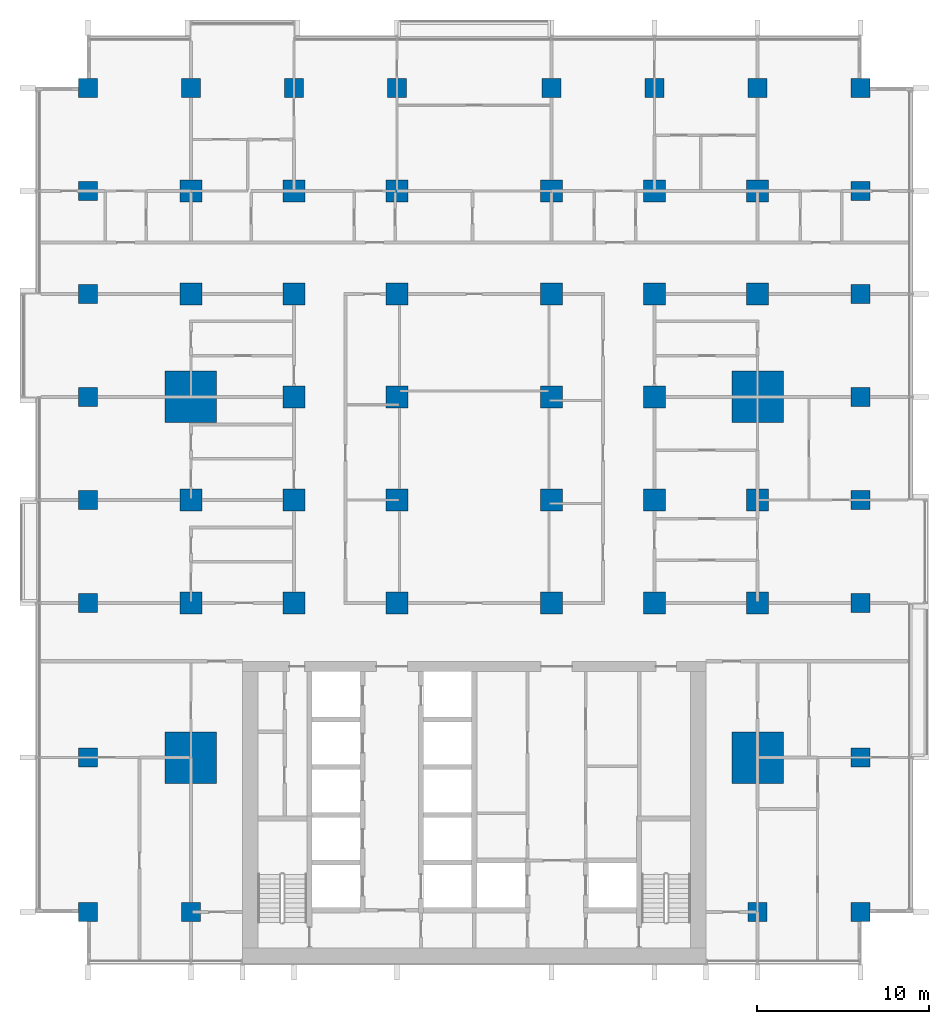
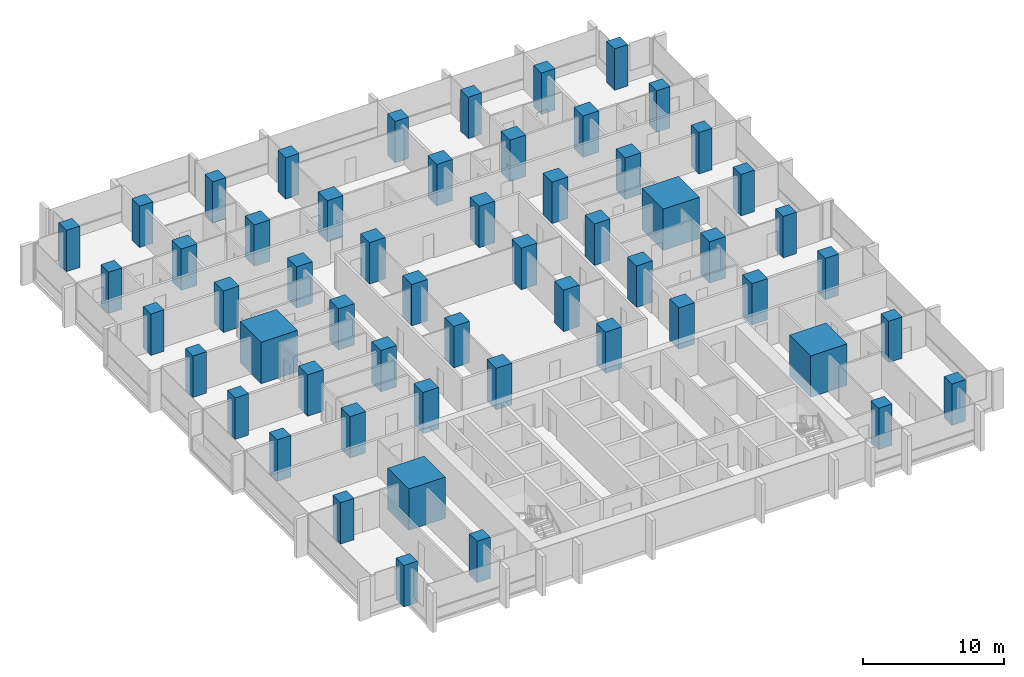
# One storey, part 1 of 18: 56 columns.
"""IFC4 building model written with IfcOpenShell, lengths in metres."""

from ifc_helpers import new_model, si_unit, direction, frame, origin, origin_2d, place, context, subcontext, project, spatial, rectangle, extrude, material, material_profile, profile_set, type_object, element, save


model = new_model("IFC4")

# Units and contexts
model_context = context("Model", 3, precision=1e-05, world=origin(), true_north=direction((0.0, 1.0)))
body_context = subcontext(model_context, "Body", "Model", "MODEL_VIEW")
ifc_project = project(units=[si_unit("LENGTHUNIT", "METRE"), si_unit("AREAUNIT", "SQUARE_METRE"), si_unit("VOLUMEUNIT", "CUBIC_METRE"), si_unit("PLANEANGLEUNIT", "RADIAN"), si_unit("MASSUNIT", "GRAM", prefix="KILO")], contexts=[model_context])

# Site, building, storey
site_placement = place(None, origin())
site = spatial("IfcSite", under=ifc_project, at=site_placement, CompositionType="ELEMENT")
building_placement = place(site_placement, origin())
building = spatial("IfcBuilding", under=site, at=building_placement, Name="Finial Court Residences", CompositionType="ELEMENT")
storey_placement = place(building_placement, frame((0.0, 0.0, 72.10009765625)))
storey = spatial("IfcBuildingStorey", under=building, at=storey_placement, Name="L17", CompositionType="ELEMENT", Elevation=72.10009765625)

# Columns
ifc_material = material(Name="Concrete C80/95", Category="concrete")
ifc_material_profile_1 = material_profile(ifc_material, rectangle(XDim=1.300048828125, YDim=1.300048828125, at=origin_2d()), Name="1300x1300")
ifc_profile_set_1 = profile_set([ifc_material_profile_1], Name="Concrete C80/95")
column_type_1 = type_object("IfcColumnType", Name="Interior column 1300x1300 Concrete C80/95", PredefinedType="COLUMN", material=ifc_profile_set_1)
for number, where, z_axis, x_axis, name in (
    (1, (-16.5, -4.5, 0.0), (0.0, 0.0, 1.0), (1.0, 0.0, 0.0), "S:COL:L17:C4"),
    (2, (-16.5, 1.5, 0.0), (0.0, 0.0, 1.0), (1.0, 0.0, 0.0), "S:COL:L17:C5"),
    (3, (-16.5, 13.5, 0.0), (0.0, 0.0, 1.0), (1.0, 0.0, 0.0), "S:COL:L17:C7"),
    (4, (-16.5, 19.5, 0.0), (0.0, 0.0, 1.0), (1.0, 0.0, 0.0), "S:COL:L17:C8"),
    (5, (-10.5, -4.5, 0.0), (0.0, 0.0, 1.0), (1.0, 0.0, 0.0), "S:COL:L17:D4"),
    (6, (-10.5, 1.5, 0.0), (0.0, 0.0, 1.0), (1.0, 0.0, 0.0), "S:COL:L17:D5"),
    (7, (-10.5, 7.5, 0.0), (0.0, 0.0, 1.0), (1.0, 0.0, 0.0), "S:COL:L17:D6"),
    (8, (-10.5, 13.5, 0.0), (0.0, 0.0, 1.0), (1.0, 0.0, 0.0), "S:COL:L17:D7"),
    (9, (-10.5, 19.5, 0.0), (0.0, 0.0, 1.0), (1.0, 0.0, 0.0), "S:COL:L17:D8"),
    (10, (-4.5, -4.5, 0.0), (0.0, 0.0, 1.0), (1.0, 0.0, 0.0), "S:COL:L17:E4"),
    (11, (-4.5, 1.5, 0.0), (0.0, 0.0, 1.0), (1.0, 0.0, 0.0), "S:COL:L17:E5"),
    (12, (-4.5, 7.5, 0.0), (0.0, 0.0, 1.0), (1.0, 0.0, 0.0), "S:COL:L17:E6"),
    (13, (-4.5, 13.5, 0.0), (0.0, 0.0, 1.0), (1.0, 0.0, 0.0), "S:COL:L17:E7"),
    (14, (-4.5, 19.5, 0.0), (0.0, 0.0, 1.0), (1.0, 0.0, 0.0), "S:COL:L17:E8"),
    (15, (4.5, -4.5, 0.0), (0.0, 0.0, 1.0), (1.0, 0.0, 0.0), "S:COL:L17:F4"),
    (16, (4.5, 1.5, 0.0), (0.0, 0.0, 1.0), (1.0, 0.0, 0.0), "S:COL:L17:F5"),
    (17, (4.5, 7.5, 0.0), (0.0, 0.0, 1.0), (1.0, 0.0, 0.0), "S:COL:L17:F6"),
    (18, (4.5, 13.5, 0.0), (0.0, 0.0, 1.0), (1.0, 0.0, 0.0), "S:COL:L17:F7"),
    (19, (4.5, 19.5, 0.0), (0.0, 0.0, 1.0), (1.0, 0.0, 0.0), "S:COL:L17:F8"),
    (20, (10.5, -4.5, 0.0), (0.0, 0.0, 1.0), (1.0, 0.0, 0.0), "S:COL:L17:G4"),
    (21, (10.5, 1.5, 0.0), (0.0, 0.0, 1.0), (1.0, 0.0, 0.0), "S:COL:L17:G5"),
    (22, (10.5, 7.5, 0.0), (0.0, 0.0, 1.0), (1.0, 0.0, 0.0), "S:COL:L17:G6"),
    (23, (10.5, 13.5, 0.0), (0.0, 0.0, 1.0), (1.0, 0.0, 0.0), "S:COL:L17:G7"),
    (24, (10.5, 19.5, 0.0), (0.0, 0.0, 1.0), (1.0, 0.0, 0.0), "S:COL:L17:G8"),
    (25, (16.5, -4.5, 0.0), (0.0, 0.0, 1.0), (1.0, 0.0, 0.0), "S:COL:L17:H4"),
    (26, (16.5, 1.5, 0.0), (0.0, 0.0, 1.0), (1.0, 0.0, 0.0), "S:COL:L17:H5"),
    (27, (16.5, 13.5, 0.0), (0.0, 0.0, 1.0), (1.0, 0.0, 0.0), "S:COL:L17:H7"),
    (28, (16.5, 19.5, 0.0), (0.0, 0.0, 1.0), (1.0, 0.0, 0.0), "S:COL:L17:H8"),
):
    element("IfcColumn", number, at=place(storey_placement, frame(where, z_axis=z_axis, x_axis=x_axis)), inside=storey, type_object=column_type_1, Name=name, PredefinedType="COLUMN", context=body_context, shape_type="SweptSolid", body=[
        extrude(rectangle(XDim=1.300048828125, YDim=1.300048828125, at=origin_2d()), origin(), (0.0, 0.0, 1.0), 3.599853515625),
    ])
ifc_material_profile_2 = material_profile(ifc_material, rectangle(XDim=3.0, YDim=3.0, at=origin_2d()), Name="3000x3000")
ifc_profile_set_2 = profile_set([ifc_material_profile_2], Name="Concrete C80/95")
column_type_2 = type_object("IfcColumnType", Name="Mega column 3000x3000 Concrete C80/95", PredefinedType="COLUMN", material=ifc_profile_set_2)
for number, where, z_axis, x_axis, name in (
    (29, (-16.5, -13.5, 0.0), (0.0, 0.0, 1.0), (1.0, 0.0, 0.0), "S:COL:L17:C3"),
    (30, (-16.5, 7.5, 0.0), (0.0, 0.0, 1.0), (1.0, 0.0, 0.0), "S:COL:L17:C6"),
    (31, (16.5, -13.5, 0.0), (0.0, 0.0, 1.0), (1.0, 0.0, 0.0), "S:COL:L17:H3"),
    (32, (16.5, 7.5, 0.0), (0.0, 0.0, 1.0), (1.0, 0.0, 0.0), "S:COL:L17:H6"),
):
    element("IfcColumn", number, at=place(storey_placement, frame(where, z_axis=z_axis, x_axis=x_axis)), inside=storey, type_object=column_type_2, Name=name, PredefinedType="COLUMN", context=body_context, shape_type="SweptSolid", body=[
        extrude(rectangle(XDim=3.0, YDim=3.0, at=origin_2d()), origin(), (0.0, 0.0, 1.0), 3.599853515625),
    ])
ifc_material_profile_3 = material_profile(ifc_material, rectangle(XDim=1.10009765625, YDim=1.10009765625, at=origin_2d()), Name="1100x1100")
ifc_profile_set_3 = profile_set([ifc_material_profile_3], Name="Concrete C80/95")
column_type_3 = type_object("IfcColumnType", Name="Perimeter column 1100x1100 Concrete C80/95", PredefinedType="COLUMN", material=ifc_profile_set_3)
for number, where, z_axis, x_axis, name in (
    (33, (-22.5, -22.5, 0.0), (0.0, 0.0, 1.0), (1.0, 0.0, 0.0), "S:COL:L17:B2"),
    (34, (-22.5, -13.5, 0.0), (0.0, 0.0, 1.0), (1.0, 0.0, 0.0), "S:COL:L17:B3"),
    (35, (-22.5, -4.5, 0.0), (0.0, 0.0, 1.0), (1.0, 0.0, 0.0), "S:COL:L17:B4"),
    (36, (-22.5, 1.5, 0.0), (0.0, 0.0, 1.0), (1.0, 0.0, 0.0), "S:COL:L17:B5"),
    (37, (-22.5, 7.5, 0.0), (0.0, 0.0, 1.0), (1.0, 0.0, 0.0), "S:COL:L17:B6"),
    (38, (-22.5, 13.5, 0.0), (0.0, 0.0, 1.0), (1.0, 0.0, 0.0), "S:COL:L17:B7"),
    (39, (-22.5, 19.5, 0.0), (0.0, 0.0, 1.0), (1.0, 0.0, 0.0), "S:COL:L17:B8"),
    (40, (-22.5, 25.5, 0.0), (0.0, 0.0, 1.0), (1.0, 0.0, 0.0), "S:COL:L17:B9"),
    (41, (-16.5, -22.5, 0.0), (0.0, 0.0, 1.0), (1.0, 0.0, 0.0), "S:COL:L17:C2"),
    (42, (-16.5, 25.5, 0.0), (0.0, 0.0, 1.0), (1.0, 0.0, 0.0), "S:COL:L17:C9"),
    (43, (-10.5, 25.5, 0.0), (0.0, 0.0, 1.0), (1.0, 0.0, 0.0), "S:COL:L17:D9"),
    (44, (-4.5, 25.5, 0.0), (0.0, 0.0, 1.0), (1.0, 0.0, 0.0), "S:COL:L17:E9"),
    (45, (4.5, 25.5, 0.0), (0.0, 0.0, 1.0), (1.0, 0.0, 0.0), "S:COL:L17:F9"),
    (46, (10.5, 25.5, 0.0), (0.0, 0.0, 1.0), (1.0, 0.0, 0.0), "S:COL:L17:G9"),
    (47, (16.5, -22.5, 0.0), (0.0, 0.0, 1.0), (1.0, 0.0, 0.0), "S:COL:L17:H2"),
    (48, (16.5, 25.5, 0.0), (0.0, 0.0, 1.0), (1.0, 0.0, 0.0), "S:COL:L17:H9"),
    (49, (22.5, -22.5, 0.0), (0.0, 0.0, 1.0), (1.0, 0.0, 0.0), "S:COL:L17:I2"),
    (50, (22.5, -13.5, 0.0), (0.0, 0.0, 1.0), (1.0, 0.0, 0.0), "S:COL:L17:I3"),
    (51, (22.5, -4.5, 0.0), (0.0, 0.0, 1.0), (1.0, 0.0, 0.0), "S:COL:L17:I4"),
    (52, (22.5, 1.5, 0.0), (0.0, 0.0, 1.0), (1.0, 0.0, 0.0), "S:COL:L17:I5"),
    (53, (22.5, 7.5, 0.0), (0.0, 0.0, 1.0), (1.0, 0.0, 0.0), "S:COL:L17:I6"),
    (54, (22.5, 13.5, 0.0), (0.0, 0.0, 1.0), (1.0, 0.0, 0.0), "S:COL:L17:I7"),
    (55, (22.5, 19.5, 0.0), (0.0, 0.0, 1.0), (1.0, 0.0, 0.0), "S:COL:L17:I8"),
    (56, (22.5, 25.5, 0.0), (0.0, 0.0, 1.0), (1.0, 0.0, 0.0), "S:COL:L17:I9"),
):
    element("IfcColumn", number, at=place(storey_placement, frame(where, z_axis=z_axis, x_axis=x_axis)), inside=storey, type_object=column_type_3, Name=name, PredefinedType="COLUMN", context=body_context, shape_type="SweptSolid", body=[
        extrude(rectangle(XDim=1.10009765625, YDim=1.10009765625, at=origin_2d()), origin(), (0.0, 0.0, 1.0), 3.599853515625),
    ])

save(model, "model.ifc")
